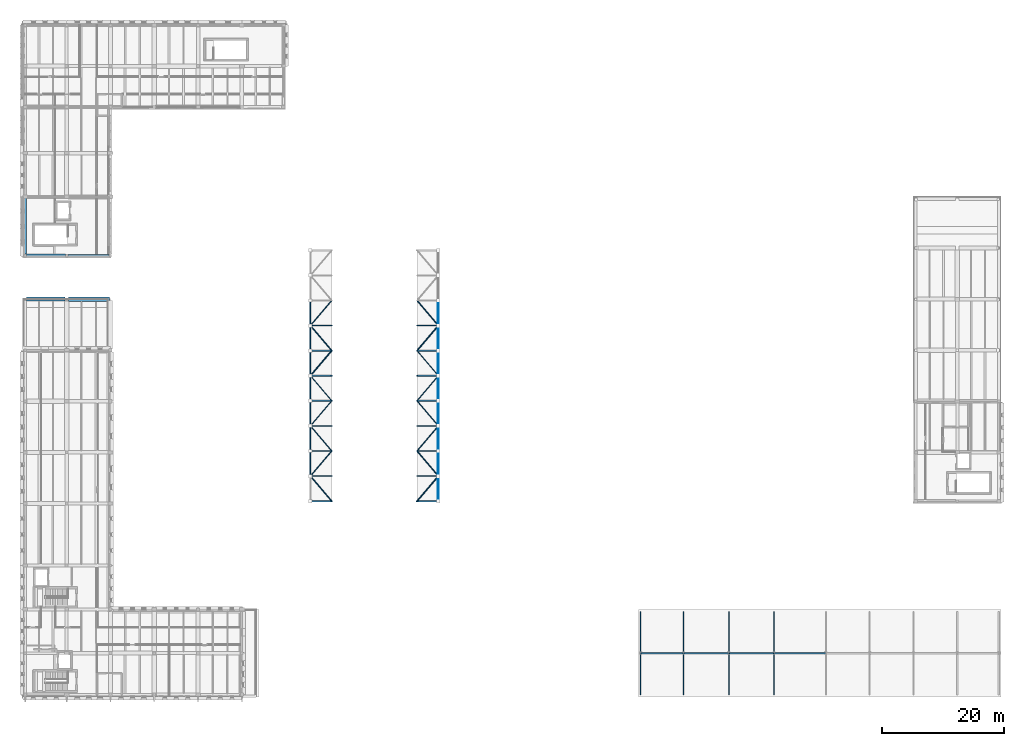
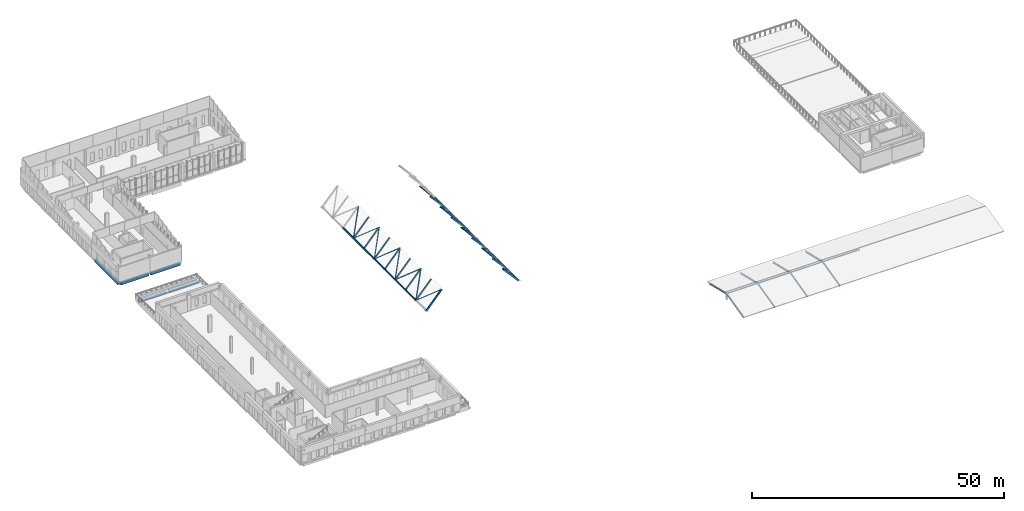
# One storey, part 7 of 34: 47 members, 17 beams.
"""IFC4 building model written with IfcOpenShell, lengths in metres."""

from ifc_helpers import new_model, si_unit, direction, frame, origin, origin_2d, place, context, subcontext, project, spatial, rectangle, hollow_rectangle, hollow_circle, i_section, extrude, material, material_profile, profile_set, type_object, element, save


model = new_model("IFC4")

# Units and contexts
model_context = context("Model", 3, precision=1e-05, world=origin(), true_north=direction((0.0, 1.0)))
body_context = subcontext(model_context, "Body", "Model", "MODEL_VIEW")
ifc_project = project(units=[si_unit("LENGTHUNIT", "METRE"), si_unit("AREAUNIT", "SQUARE_METRE"), si_unit("VOLUMEUNIT", "CUBIC_METRE"), si_unit("PLANEANGLEUNIT", "RADIAN"), si_unit("MASSUNIT", "GRAM", prefix="KILO")], contexts=[model_context])

# Site, building, storey
site_placement = place(None, origin())
site = spatial("IfcSite", under=ifc_project, at=site_placement, CompositionType="ELEMENT")
building_placement = place(site_placement, origin())
building = spatial("IfcBuilding", under=site, at=building_placement, Name="Vardoun Plaza Health Centre", CompositionType="ELEMENT")
storey_placement = place(building_placement, frame((0.0, 0.0, 12.89990234375)))
storey = spatial("IfcBuildingStorey", under=building, at=storey_placement, Name="L03", CompositionType="ELEMENT", Elevation=12.89990234375)

# Beams
ifc_material_1 = material(Name="Concrete C35/45", Category="concrete")
ifc_material_profile_1 = material_profile(ifc_material_1, rectangle(XDim=0.419921875, YDim=0.580078125, at=origin_2d()), Name="RC-BM 420x580")
ifc_profile_set_1 = profile_set([ifc_material_profile_1], Name="Concrete C35/45")
beam_type_1 = type_object("IfcBeamType", Name="B-10", PredefinedType="SPANDREL", material=ifc_profile_set_1)
beam_1_placement = place(storey_placement, frame((11.925048828125, 77.06005859375, -0.554931640625), z_axis=(1.0, 0.0, 0.0), x_axis=(0.0, 1.0, 0.0)))
element("IfcBeam", 1, at=beam_1_placement, inside=storey, type_object=beam_type_1, Name="V3 L03 Beam B-V3-L03-X07", PredefinedType="SPANDREL", context=body_context, shape_type="SweptSolid", body=[
    extrude(rectangle(XDim=0.419921875, YDim=0.580078125, at=origin_2d()), origin(), (0.0, 0.0, 1.0), 6.75),
])
ifc_material_2 = material(Name="Concrete C35/45", Category="concrete")
ifc_material_profile_2 = material_profile(ifc_material_2, rectangle(XDim=0.449951171875, YDim=0.60009765625, at=origin_2d()), Name="RC-BM 450x600")
ifc_profile_set_2 = profile_set([ifc_material_profile_2], Name="Concrete C35/45")
beam_type_2 = type_object("IfcBeamType", Name="B-11", PredefinedType="SPANDREL", material=ifc_profile_set_2)
beam_2_placement = place(storey_placement, frame((5.10498046875, 77.06005859375, -0.56494140625), z_axis=(1.0, 0.0, 0.0), x_axis=(0.0, 1.0, 0.0)))
element("IfcBeam", 2, at=beam_2_placement, inside=storey, type_object=beam_type_2, Name="V3 L03 Beam B-V3-L03-X01", PredefinedType="SPANDREL", context=body_context, shape_type="SweptSolid", body=[
    extrude(rectangle(XDim=0.449951171875, YDim=0.60009765625, at=origin_2d()), origin(), (0.0, 0.0, 1.0), 6.3701171875),
])
ifc_material_3 = material(Name="Concrete C35/45", Category="concrete")
ifc_material_profile_3 = material_profile(ifc_material_3, rectangle(XDim=0.47998046875, YDim=0.6201171875, at=origin_2d()), Name="RC-BM 480x620")
ifc_profile_set_3 = profile_set([ifc_material_profile_3], Name="Concrete C35/45")
beam_type_3 = type_object("IfcBeamType", Name="B-12", PredefinedType="SPANDREL", material=ifc_profile_set_3)
beam_3_placement = place(storey_placement, frame((4.8798828125, 77.284912109375, -0.574951171875), z_axis=(0.0, 1.0, 0.0), x_axis=(-1.0, 0.0, 0.0)))
element("IfcBeam", 3, at=beam_3_placement, inside=storey, type_object=beam_type_3, Name="V3 L03 Beam B-V3-L03-Y25", PredefinedType="SPANDREL", context=body_context, shape_type="SweptSolid", body=[
    extrude(rectangle(XDim=0.47998046875, YDim=0.6201171875, at=origin_2d()), origin(), (0.0, 0.0, 1.0), 9.215087890625),
])
ifc_material_4 = material(Name="Concrete C35/45", Category="concrete")
ifc_material_profile_4 = material_profile(ifc_material_4, rectangle(XDim=0.64990234375, YDim=0.449951171875, at=origin_2d()), Name="RC-BM 650x450")
ifc_profile_set_4 = profile_set([ifc_material_profile_4], Name="Concrete C35/45")
beam_type_4 = type_object("IfcBeamType", Name="B-05", PredefinedType="BEAM", material=ifc_profile_set_4)
beam_4_placement = place(storey_placement, frame((5.080078125, 69.900146484375, -0.5048828125), z_axis=(1.0, 0.0, 0.0), x_axis=(0.0, 1.0, 0.0)))
element("IfcBeam", 4, at=beam_4_placement, inside=storey, type_object=beam_type_4, Name="V2 L03 Beam B-V2-L03-X09", PredefinedType="BEAM", context=body_context, shape_type="SweptSolid", body=[
    extrude(rectangle(XDim=0.64990234375, YDim=0.449951171875, at=origin_2d()), origin(), (0.0, 0.0, 1.0), 6.344970703125),
])
ifc_material_5 = material(Name="Concrete C35/45", Category="concrete")
ifc_material_profile_5 = material_profile(ifc_material_5, rectangle(XDim=0.75, YDim=0.47998046875, at=origin_2d()), Name="RC-BM 750x480")
ifc_profile_set_5 = profile_set([ifc_material_profile_5], Name="Concrete C35/45")
beam_type_5 = type_object("IfcBeamType", Name="B-07", PredefinedType="BEAM", material=ifc_profile_set_5)
beam_5_placement = place(storey_placement, frame((11.97509765625, 69.900146484375, -0.52001953125), z_axis=(1.0, 0.0, 0.0), x_axis=(0.0, 1.0, 0.0)))
element("IfcBeam", 5, at=beam_5_placement, inside=storey, type_object=beam_type_5, Name="V2 L03 Beam B-V2-L03-X18", PredefinedType="BEAM", context=body_context, shape_type="SweptSolid", body=[
    extrude(rectangle(XDim=0.75, YDim=0.47998046875, at=origin_2d()), origin(), (0.0, 0.0, 1.0), 6.724853515625),
])
ifc_material_6 = material(Name="Steel S355J2", Category="steel")
ifc_material_profile_6 = material_profile(ifc_material_6, i_section(OverallWidth=0.219970703125, OverallDepth=0.2099609375, WebThickness=0.007080078125, FlangeThickness=0.010986328125, FilletRadius=0.01806640625, at=origin_2d()), Name="HEA 220")
ifc_profile_set_6 = profile_set([ifc_material_profile_6], Name="Steel S355J2")
beam_type_6 = type_object("IfcBeamType", Name="SB-08", PredefinedType="BEAM", material=ifc_profile_set_6)
beam_6_placement = place(storey_placement, frame((106.0400390625, 11.699951171875, 1.2900390625), z_axis=(1.0, 0.0, 0.0), x_axis=(0.0, 1.0, 0.0)))
element("IfcBeam", 6, at=beam_6_placement, inside=storey, type_object=beam_type_6, Name="V5 Folded-Roof Ridge Beam 1", PredefinedType="BEAM", context=body_context, shape_type="SweptSolid", body=[
    extrude(i_section(OverallWidth=0.219970703125, OverallDepth=0.2099609375, WebThickness=0.007080078125, FlangeThickness=0.010986328125, FilletRadius=0.01806640625, at=origin_2d()), origin(), (0.0, 0.0, 1.0), 7.06005859375),
])
for number, where, z_axis, x_axis, name in (
    (7, (113.10009765625, 11.699951171875, 1.2900390625), (1.0, 0.0, 0.0), (0.0, 1.0, 0.0), "V5 Folded-Roof Ridge Beam 2"),
    (8, (120.5400390625, 11.699951171875, 1.2900390625), (1.0, 0.0, 0.0), (0.0, 1.0, 0.0), "V5 Folded-Roof Ridge Beam 3"),
):
    element("IfcBeam", number, at=place(storey_placement, frame(where, z_axis=z_axis, x_axis=x_axis)), inside=storey, type_object=beam_type_6, Name=name, PredefinedType="BEAM", context=body_context, shape_type="SweptSolid", body=[
        extrude(i_section(OverallWidth=0.219970703125, OverallDepth=0.2099609375, WebThickness=0.007080078125, FlangeThickness=0.010986328125, FilletRadius=0.01806640625, at=origin_2d()), origin(), (0.0, 0.0, 1.0), 7.43994140625),
    ])
beam_7_placement = place(storey_placement, frame((127.97998046875, 11.699951171875, 1.2900390625), z_axis=(1.0, 0.0, 0.0), x_axis=(0.0, 1.0, 0.0)))
element("IfcBeam", 9, at=beam_7_placement, inside=storey, type_object=beam_type_6, Name="V5 Folded-Roof Ridge Beam 4", PredefinedType="BEAM", context=body_context, shape_type="SweptSolid", body=[
    extrude(i_section(OverallWidth=0.219970703125, OverallDepth=0.2099609375, WebThickness=0.007080078125, FlangeThickness=0.010986328125, FilletRadius=0.01806640625, at=origin_2d()), origin(), (0.0, 0.0, 1.0), 8.52001953125),
])
ifc_material_7 = material(Name="Steel S355J2", Category="steel")
ifc_material_profile_7 = material_profile(ifc_material_7, i_section(OverallWidth=0.179931640625, OverallDepth=0.39990234375, WebThickness=0.008544921875, FlangeThickness=0.013427734375, FilletRadius=0.02099609375, at=origin_2d()), Name="IPE 400")
ifc_profile_set_7 = profile_set([ifc_material_profile_7], Name="Steel S355J2")
beam_type_7 = type_object("IfcBeamType", Name="SB-12", PredefinedType="BEAM", material=ifc_profile_set_7)
for number, where, z_axis, x_axis, name in (
    (10, (106.0400390625, 4.8798828125, -0.347412109375), (0.0, 0.972366760857, 0.233458523897), (-1.0, 0.0, 0.0), "V5 South Folded Rafter 1"),
    (11, (106.0400390625, 11.699951171875, 1.2900390625), (0.0, 0.972366760857, -0.233458523897), (-1.0, 0.0, 0.0), "V5 North Folded Rafter 1"),
    (12, (113.10009765625, 4.8798828125, -0.347412109375), (0.0, 0.972366760857, 0.233458523897), (-1.0, 0.0, 0.0), "V5 South Folded Rafter 2"),
    (13, (113.10009765625, 11.699951171875, 1.2900390625), (0.0, 0.972366760857, -0.233458523897), (-1.0, 0.0, 0.0), "V5 North Folded Rafter 2"),
    (14, (120.5400390625, 4.8798828125, -0.347412109375), (0.0, 0.972366760857, 0.233458523897), (-1.0, 0.0, 0.0), "V5 South Folded Rafter 3"),
    (15, (120.5400390625, 11.699951171875, 1.2900390625), (0.0, 0.972366760857, -0.233458523897), (-1.0, 0.0, 0.0), "V5 North Folded Rafter 3"),
    (16, (127.97998046875, 4.8798828125, -0.347412109375), (0.0, 0.972366760857, 0.233458523897), (-1.0, 0.0, 0.0), "V5 South Folded Rafter 4"),
    (17, (127.97998046875, 11.699951171875, 1.2900390625), (0.0, 0.972366760857, -0.233458523897), (-1.0, 0.0, 0.0), "V5 North Folded Rafter 4"),
):
    element("IfcBeam", number, at=place(storey_placement, frame(where, z_axis=z_axis, x_axis=x_axis)), inside=storey, type_object=beam_type_7, Name=name, PredefinedType="BEAM", context=body_context, shape_type="SweptSolid", body=[
        extrude(i_section(OverallWidth=0.179931640625, OverallDepth=0.39990234375, WebThickness=0.008544921875, FlangeThickness=0.013427734375, FilletRadius=0.02099609375, at=origin_2d()), origin(), (0.0, 0.0, 1.0), 7.013916015625),
    ])

# Members
ifc_material_8 = material(Name="Glulam GL28h", Category="wood")
ifc_material_profile_8 = material_profile(ifc_material_8, rectangle(XDim=0.179931640625, YDim=0.39990234375, at=origin_2d()), Name="GL28h 180x400")
ifc_profile_set_8 = profile_set([ifc_material_profile_8], Name="Glulam GL28h")
member_type_1 = type_object("IfcMemberType", Name="GP-02", PredefinedType="PURLIN", material=ifc_profile_set_8)
for number, where, z_axis, x_axis, name in (
    (18, (51.764892578125, 40.803955078125, 1.0126953125), (0.0, 1.0, 0.0), (-1.0, 0.0, 0.0), "Gridshell Glulam Purlin GP-02-02"),
    (19, (51.764892578125, 44.927978515625, 1.0126953125), (0.0, 1.0, 0.0), (-1.0, 0.0, 0.0), "Gridshell Glulam Purlin GP-02-03"),
    (20, (51.764892578125, 49.052001953125, 1.0126953125), (0.0, 1.0, 0.0), (-1.0, 0.0, 0.0), "Gridshell Glulam Purlin GP-02-04"),
    (21, (51.764892578125, 53.176025390625, 1.0126953125), (0.0, 1.0, 0.0), (-1.0, 0.0, 0.0), "Gridshell Glulam Purlin GP-02-05"),
    (22, (51.764892578125, 57.300048828125, 1.0126953125), (0.0, 1.0, 0.0), (-1.0, 0.0, 0.0), "Gridshell Glulam Purlin GP-02-06"),
    (23, (51.764892578125, 61.424072265625, 1.0126953125), (0.0, 1.0, 0.0), (-1.0, 0.0, 0.0), "Gridshell Glulam Purlin GP-02-07"),
    (24, (51.764892578125, 65.548095703125, 1.0126953125), (0.0, 1.0, 0.0), (-1.0, 0.0, 0.0), "Gridshell Glulam Purlin GP-02-08"),
):
    element("IfcMember", number, at=place(storey_placement, frame(where, z_axis=z_axis, x_axis=x_axis)), inside=storey, type_object=member_type_1, Name=name, PredefinedType="PURLIN", context=body_context, shape_type="SweptSolid", body=[
        extrude(rectangle(XDim=0.179931640625, YDim=0.39990234375, at=origin_2d()), origin(), (0.0, 0.0, 1.0), 4.1240234375),
    ])
ifc_material_9 = material(Name="Glulam GL28h", Category="wood")
ifc_material_profile_9 = material_profile(ifc_material_9, rectangle(XDim=0.1201171875, YDim=0.239990234375, at=origin_2d()), Name="GL28h 120x240")
ifc_profile_set_9 = profile_set([ifc_material_profile_9], Name="Glulam GL28h")
member_type_2 = type_object("IfcMemberType", Name="GP-08", PredefinedType="PURLIN", material=ifc_profile_set_9)
for number, where, z_axis, x_axis, name in (
    (25, (72.794921875, 36.679931640625, 1.0126953125), (0.0, 1.0, 0.0), (-1.0, 0.0, 0.0), "Gridshell Glulam Purlin GP-08-01"),
    (26, (72.794921875, 40.803955078125, 1.0126953125), (0.0, 1.0, 0.0), (-1.0, 0.0, 0.0), "Gridshell Glulam Purlin GP-08-02"),
    (27, (72.794921875, 44.927978515625, 1.0126953125), (0.0, 1.0, 0.0), (-1.0, 0.0, 0.0), "Gridshell Glulam Purlin GP-08-03"),
    (28, (72.794921875, 49.052001953125, 1.0126953125), (0.0, 1.0, 0.0), (-1.0, 0.0, 0.0), "Gridshell Glulam Purlin GP-08-04"),
    (29, (72.794921875, 53.176025390625, 1.0126953125), (0.0, 1.0, 0.0), (-1.0, 0.0, 0.0), "Gridshell Glulam Purlin GP-08-05"),
    (30, (72.794921875, 57.300048828125, 1.0126953125), (0.0, 1.0, 0.0), (-1.0, 0.0, 0.0), "Gridshell Glulam Purlin GP-08-06"),
    (31, (72.794921875, 61.424072265625, 1.0126953125), (0.0, 1.0, 0.0), (-1.0, 0.0, 0.0), "Gridshell Glulam Purlin GP-08-07"),
    (32, (72.794921875, 65.548095703125, 1.0126953125), (0.0, 1.0, 0.0), (-1.0, 0.0, 0.0), "Gridshell Glulam Purlin GP-08-08"),
):
    element("IfcMember", number, at=place(storey_placement, frame(where, z_axis=z_axis, x_axis=x_axis)), inside=storey, type_object=member_type_2, Name=name, PredefinedType="PURLIN", context=body_context, shape_type="SweptSolid", body=[
        extrude(rectangle(XDim=0.1201171875, YDim=0.239990234375, at=origin_2d()), origin(), (0.0, 0.0, 1.0), 4.1240234375),
    ])
ifc_material_10 = material(Name="Steel S355J2H", Category="steel")
ifc_material_profile_10 = material_profile(ifc_material_10, hollow_rectangle(XDim=0.199951171875, YDim=0.39990234375, WallThickness=0.012451171875, at=origin_2d()), Name="RHS 400x200x12.5")
ifc_profile_set_10 = profile_set([ifc_material_profile_10], Name="Steel S355J2H")
member_type_3 = type_object("IfcMemberType", Name="GS-A1", PredefinedType="CHORD", material=ifc_profile_set_10)
for number, where, z_axis, x_axis, name in (
    (33, (51.764892578125, 36.679931640625, 1.0126953125), (0.664906955532, 0.0, 0.746926194805), (0.0, 1.0, 0.0), "Gridshell Arch Rib GA-01-02"),
    (34, (72.794921875, 36.679931640625, 1.0126953125), (-0.664881116715, 0.0, 0.746949195485), (0.0, -1.0, 0.0), "Gridshell Arch Rib GA-01-07"),
):
    element("IfcMember", number, at=place(storey_placement, frame(where, z_axis=z_axis, x_axis=x_axis)), inside=storey, type_object=member_type_3, Name=name, PredefinedType="CHORD", context=body_context, shape_type="SweptSolid", body=[
        extrude(hollow_rectangle(XDim=0.199951171875, YDim=0.39990234375, WallThickness=0.012451171875, at=origin_2d()), origin(), (0.0, 0.0, 1.0), 5.271484375),
    ])
ifc_material_11 = material(Name="Steel S355J2H", Category="steel")
ifc_material_profile_11 = material_profile(ifc_material_11, hollow_rectangle(XDim=0.199951171875, YDim=0.300048828125, WallThickness=0.012451171875, at=origin_2d()), Name="RHS 300x200x12.5")
ifc_profile_set_11 = profile_set([ifc_material_profile_11], Name="Steel S355J2H")
member_type_4 = type_object("IfcMemberType", Name="GS-A3", PredefinedType="CHORD", material=ifc_profile_set_11)
for number, where, z_axis, x_axis, name in (
    (35, (51.764892578125, 40.803955078125, 1.0126953125), (0.664906955532, 0.0, 0.746926194805), (0.0, 1.0, 0.0), "Gridshell Arch Rib GA-02-02"),
    (36, (72.794921875, 40.803955078125, 1.0126953125), (-0.664881116715, 0.0, 0.746949195485), (0.0, -1.0, 0.0), "Gridshell Arch Rib GA-02-07"),
    (37, (51.764892578125, 44.927978515625, 1.0126953125), (0.664906955532, 0.0, 0.746926194805), (0.0, 1.0, 0.0), "Gridshell Arch Rib GA-03-02"),
    (38, (72.794921875, 44.927978515625, 1.0126953125), (-0.664881116715, 0.0, 0.746949195485), (0.0, -1.0, 0.0), "Gridshell Arch Rib GA-03-07"),
    (39, (51.764892578125, 49.052001953125, 1.0126953125), (0.664906955532, 0.0, 0.746926194805), (0.0, 1.0, 0.0), "Gridshell Arch Rib GA-04-02"),
    (40, (72.794921875, 49.052001953125, 1.0126953125), (-0.664881116715, 0.0, 0.746949195485), (0.0, -1.0, 0.0), "Gridshell Arch Rib GA-04-07"),
    (41, (51.764892578125, 53.176025390625, 1.0126953125), (0.664906955532, 0.0, 0.746926194805), (0.0, 1.0, 0.0), "Gridshell Arch Rib GA-05-02"),
    (42, (72.794921875, 53.176025390625, 1.0126953125), (-0.664881116715, 0.0, 0.746949195485), (0.0, -1.0, 0.0), "Gridshell Arch Rib GA-05-07"),
    (43, (51.764892578125, 57.300048828125, 1.0126953125), (0.664906955532, 0.0, 0.746926194805), (0.0, 1.0, 0.0), "Gridshell Arch Rib GA-06-02"),
    (44, (72.794921875, 57.300048828125, 1.0126953125), (-0.664881116715, 0.0, 0.746949195485), (0.0, -1.0, 0.0), "Gridshell Arch Rib GA-06-07"),
    (45, (51.764892578125, 61.424072265625, 1.0126953125), (0.664906955532, 0.0, 0.746926194805), (0.0, 1.0, 0.0), "Gridshell Arch Rib GA-07-02"),
    (46, (72.794921875, 61.424072265625, 1.0126953125), (-0.664881116715, 0.0, 0.746949195485), (0.0, -1.0, 0.0), "Gridshell Arch Rib GA-07-07"),
    (47, (51.764892578125, 65.548095703125, 1.0126953125), (0.664906955532, 0.0, 0.746926194805), (0.0, 1.0, 0.0), "Gridshell Arch Rib GA-08-02"),
    (48, (72.794921875, 65.548095703125, 1.0126953125), (-0.664881116715, 0.0, 0.746949195485), (0.0, -1.0, 0.0), "Gridshell Arch Rib GA-08-07"),
):
    element("IfcMember", number, at=place(storey_placement, frame(where, z_axis=z_axis, x_axis=x_axis)), inside=storey, type_object=member_type_4, Name=name, PredefinedType="CHORD", context=body_context, shape_type="SweptSolid", body=[
        extrude(hollow_rectangle(XDim=0.199951171875, YDim=0.300048828125, WallThickness=0.012451171875, at=origin_2d()), origin(), (0.0, 0.0, 1.0), 5.271484375),
    ])
ifc_material_12 = material(Name="Steel S355J2H", Category="steel")
ifc_material_profile_12 = material_profile(ifc_material_12, hollow_circle(Radius=0.122314453125, WallThickness=0.012451171875, at=origin_2d()), Name="CHS 244.5x12.5")
ifc_profile_set_12 = profile_set([ifc_material_profile_12], Name="Steel S355J2H")
member_type_5 = type_object("IfcMemberType", Name="GS-D1", PredefinedType="BRACE", material=ifc_profile_set_12)
member_1_placement = place(storey_placement, frame((72.794921875, 40.803955078125, 1.0126953125), z_axis=(-0.52366728039, -0.616173565084, 0.588304952503), x_axis=(0.761988287779, -0.647590803893, 0.0)))
element("IfcMember", 49, at=member_1_placement, inside=storey, type_object=member_type_5, Name="Gridshell Diagonal GD-01-07", PredefinedType="BRACE", context=body_context, shape_type="SweptSolid", body=[
    extrude(hollow_circle(Radius=0.122314453125, WallThickness=0.012451171875, at=origin_2d()), origin(), (0.0, 0.0, 1.0), 6.69287109375),
])
member_2_placement = place(storey_placement, frame((51.764892578125, 57.300048828125, 1.0126953125), z_axis=(0.523693753813, 0.616161794903, 0.588293714669), x_axis=(-0.761966028439, 0.647616994453, 0.0)))
element("IfcMember", 50, at=member_2_placement, inside=storey, type_object=member_type_5, Name="Gridshell Diagonal GD-06-02", PredefinedType="BRACE", context=body_context, shape_type="SweptSolid", body=[
    extrude(hollow_circle(Radius=0.122314453125, WallThickness=0.012451171875, at=origin_2d()), origin(), (0.0, 0.0, 1.0), 6.693115234375),
])
member_3_placement = place(storey_placement, frame((72.794921875, 65.548095703125, 1.0126953125), z_axis=(-0.52366728039, -0.616173565084, 0.588304952503), x_axis=(0.761988287779, -0.647590803893, 0.0)))
element("IfcMember", 51, at=member_3_placement, inside=storey, type_object=member_type_5, Name="Gridshell Diagonal GD-07-07", PredefinedType="BRACE", context=body_context, shape_type="SweptSolid", body=[
    extrude(hollow_circle(Radius=0.122314453125, WallThickness=0.012451171875, at=origin_2d()), origin(), (0.0, 0.0, 1.0), 6.69287109375),
])
ifc_material_13 = material(Name="Steel S355J2H", Category="steel")
ifc_material_profile_13 = material_profile(ifc_material_13, hollow_circle(Radius=0.109619140625, WallThickness=0.010009765625, at=origin_2d()), Name="CHS 219.1x10.0")
ifc_profile_set_13 = profile_set([ifc_material_profile_13], Name="Steel S355J2H")
member_type_6 = type_object("IfcMemberType", Name="GS-D2", PredefinedType="BRACE", material=ifc_profile_set_13)
member_4_placement = place(storey_placement, frame((51.764892578125, 40.803955078125, 1.0126953125), z_axis=(0.523693753813, -0.616161794903, 0.588293714669), x_axis=(0.761966028439, 0.647616994453, 0.0)))
element("IfcMember", 52, at=member_4_placement, inside=storey, type_object=member_type_6, Name="Gridshell Diagonal GD-01-02", PredefinedType="BRACE", context=body_context, shape_type="SweptSolid", body=[
    extrude(hollow_circle(Radius=0.109619140625, WallThickness=0.010009765625, at=origin_2d()), origin(), (0.0, 0.0, 1.0), 6.693115234375),
])
member_5_placement = place(storey_placement, frame((72.794921875, 40.803955078125, 1.0126953125), z_axis=(-0.52366728039, 0.616173565084, 0.588304952503), x_axis=(-0.761988287779, -0.647590803893, 0.0)))
element("IfcMember", 53, at=member_5_placement, inside=storey, type_object=member_type_6, Name="Gridshell Diagonal GD-02-07", PredefinedType="BRACE", context=body_context, shape_type="SweptSolid", body=[
    extrude(hollow_circle(Radius=0.109619140625, WallThickness=0.010009765625, at=origin_2d()), origin(), (0.0, 0.0, 1.0), 6.69287109375),
])
member_6_placement = place(storey_placement, frame((51.764892578125, 65.548095703125, 1.0126953125), z_axis=(0.523693753813, -0.616161794903, 0.588293714669), x_axis=(0.761966028439, 0.647616994453, 0.0)))
element("IfcMember", 54, at=member_6_placement, inside=storey, type_object=member_type_6, Name="Gridshell Diagonal GD-07-02", PredefinedType="BRACE", context=body_context, shape_type="SweptSolid", body=[
    extrude(hollow_circle(Radius=0.109619140625, WallThickness=0.010009765625, at=origin_2d()), origin(), (0.0, 0.0, 1.0), 6.693115234375),
])
member_7_placement = place(storey_placement, frame((72.794921875, 65.548095703125, 1.0126953125), z_axis=(-0.52366728039, 0.616173565084, 0.588304952503), x_axis=(-0.761988287779, -0.647590803893, 0.0)))
element("IfcMember", 55, at=member_7_placement, inside=storey, type_object=member_type_6, Name="Gridshell Diagonal GD-08-07", PredefinedType="BRACE", context=body_context, shape_type="SweptSolid", body=[
    extrude(hollow_circle(Radius=0.109619140625, WallThickness=0.010009765625, at=origin_2d()), origin(), (0.0, 0.0, 1.0), 6.69287109375),
])
ifc_material_14 = material(Name="Steel S355J2H", Category="steel")
ifc_material_profile_14 = material_profile(ifc_material_14, hollow_circle(Radius=0.096923828125, WallThickness=0.010009765625, at=origin_2d()), Name="CHS 193.7x10.0")
ifc_profile_set_14 = profile_set([ifc_material_profile_14], Name="Steel S355J2H")
member_type_7 = type_object("IfcMemberType", Name="GS-D3", PredefinedType="BRACE", material=ifc_profile_set_14)
member_8_placement = place(storey_placement, frame((51.764892578125, 40.803955078125, 1.0126953125), z_axis=(0.523693753813, 0.616161794903, 0.588293714669), x_axis=(-0.761966028439, 0.647616994453, 0.0)))
element("IfcMember", 56, at=member_8_placement, inside=storey, type_object=member_type_7, Name="Gridshell Diagonal GD-02-02", PredefinedType="BRACE", context=body_context, shape_type="SweptSolid", body=[
    extrude(hollow_circle(Radius=0.096923828125, WallThickness=0.010009765625, at=origin_2d()), origin(), (0.0, 0.0, 1.0), 6.693115234375),
])
member_9_placement = place(storey_placement, frame((72.794921875, 49.052001953125, 1.0126953125), z_axis=(-0.52366728039, -0.616173565084, 0.588304952503), x_axis=(0.761988287779, -0.647590803893, 0.0)))
element("IfcMember", 57, at=member_9_placement, inside=storey, type_object=member_type_7, Name="Gridshell Diagonal GD-03-07", PredefinedType="BRACE", context=body_context, shape_type="SweptSolid", body=[
    extrude(hollow_circle(Radius=0.096923828125, WallThickness=0.010009765625, at=origin_2d()), origin(), (0.0, 0.0, 1.0), 6.69287109375),
])
member_10_placement = place(storey_placement, frame((51.764892578125, 65.548095703125, 1.0126953125), z_axis=(0.523693753813, 0.616161794903, 0.588293714669), x_axis=(-0.761966028439, 0.647616994453, 0.0)))
element("IfcMember", 58, at=member_10_placement, inside=storey, type_object=member_type_7, Name="Gridshell Diagonal GD-08-02", PredefinedType="BRACE", context=body_context, shape_type="SweptSolid", body=[
    extrude(hollow_circle(Radius=0.096923828125, WallThickness=0.010009765625, at=origin_2d()), origin(), (0.0, 0.0, 1.0), 6.693115234375),
])
ifc_material_15 = material(Name="Steel S355J2H", Category="steel")
ifc_material_profile_15 = material_profile(ifc_material_15, hollow_circle(Radius=0.0888671875, WallThickness=0.008056640625, at=origin_2d()), Name="CHS 177.8x8.0")
ifc_profile_set_15 = profile_set([ifc_material_profile_15], Name="Steel S355J2H")
member_type_8 = type_object("IfcMemberType", Name="GS-D4", PredefinedType="BRACE", material=ifc_profile_set_15)
member_11_placement = place(storey_placement, frame((51.764892578125, 49.052001953125, 1.0126953125), z_axis=(0.523693753813, -0.616161794903, 0.588293714669), x_axis=(0.761966028439, 0.647616994453, 0.0)))
element("IfcMember", 59, at=member_11_placement, inside=storey, type_object=member_type_8, Name="Gridshell Diagonal GD-03-02", PredefinedType="BRACE", context=body_context, shape_type="SweptSolid", body=[
    extrude(hollow_circle(Radius=0.0888671875, WallThickness=0.008056640625, at=origin_2d()), origin(), (0.0, 0.0, 1.0), 6.693115234375),
])
member_12_placement = place(storey_placement, frame((72.794921875, 49.052001953125, 1.0126953125), z_axis=(-0.52366728039, 0.616173565084, 0.588304952503), x_axis=(-0.761988287779, -0.647590803893, 0.0)))
element("IfcMember", 60, at=member_12_placement, inside=storey, type_object=member_type_8, Name="Gridshell Diagonal GD-04-07", PredefinedType="BRACE", context=body_context, shape_type="SweptSolid", body=[
    extrude(hollow_circle(Radius=0.0888671875, WallThickness=0.008056640625, at=origin_2d()), origin(), (0.0, 0.0, 1.0), 6.69287109375),
])
ifc_material_16 = material(Name="Steel S355J2H", Category="steel")
ifc_material_profile_16 = material_profile(ifc_material_16, hollow_circle(Radius=0.084228515625, WallThickness=0.008056640625, at=origin_2d()), Name="CHS 168.3x8.0")
ifc_profile_set_16 = profile_set([ifc_material_profile_16], Name="Steel S355J2H")
member_type_9 = type_object("IfcMemberType", Name="GS-D5", PredefinedType="BRACE", material=ifc_profile_set_16)
member_13_placement = place(storey_placement, frame((51.764892578125, 49.052001953125, 1.0126953125), z_axis=(0.523693753813, 0.616161794903, 0.588293714669), x_axis=(-0.761966028439, 0.647616994453, 0.0)))
element("IfcMember", 61, at=member_13_placement, inside=storey, type_object=member_type_9, Name="Gridshell Diagonal GD-04-02", PredefinedType="BRACE", context=body_context, shape_type="SweptSolid", body=[
    extrude(hollow_circle(Radius=0.084228515625, WallThickness=0.008056640625, at=origin_2d()), origin(), (0.0, 0.0, 1.0), 6.693115234375),
])
member_14_placement = place(storey_placement, frame((72.794921875, 57.300048828125, 1.0126953125), z_axis=(-0.52366728039, -0.616173565084, 0.588304952503), x_axis=(0.761988287779, -0.647590803893, 0.0)))
element("IfcMember", 62, at=member_14_placement, inside=storey, type_object=member_type_9, Name="Gridshell Diagonal GD-05-07", PredefinedType="BRACE", context=body_context, shape_type="SweptSolid", body=[
    extrude(hollow_circle(Radius=0.084228515625, WallThickness=0.008056640625, at=origin_2d()), origin(), (0.0, 0.0, 1.0), 6.69287109375),
])
ifc_material_17 = material(Name="Steel S355J2H", Category="steel")
ifc_material_profile_17 = material_profile(ifc_material_17, hollow_circle(Radius=0.076171875, WallThickness=0.008056640625, at=origin_2d()), Name="CHS 152.4x8.0")
ifc_profile_set_17 = profile_set([ifc_material_profile_17], Name="Steel S355J2H")
member_type_10 = type_object("IfcMemberType", Name="GS-D6", PredefinedType="BRACE", material=ifc_profile_set_17)
member_15_placement = place(storey_placement, frame((51.764892578125, 57.300048828125, 1.0126953125), z_axis=(0.523693753813, -0.616161794903, 0.588293714669), x_axis=(0.761966028439, 0.647616994453, 0.0)))
element("IfcMember", 63, at=member_15_placement, inside=storey, type_object=member_type_10, Name="Gridshell Diagonal GD-05-02", PredefinedType="BRACE", context=body_context, shape_type="SweptSolid", body=[
    extrude(hollow_circle(Radius=0.076171875, WallThickness=0.008056640625, at=origin_2d()), origin(), (0.0, 0.0, 1.0), 6.693115234375),
])
member_16_placement = place(storey_placement, frame((72.794921875, 57.300048828125, 1.0126953125), z_axis=(-0.52366728039, 0.616173565084, 0.588304952503), x_axis=(-0.761988287779, -0.647590803893, 0.0)))
element("IfcMember", 64, at=member_16_placement, inside=storey, type_object=member_type_10, Name="Gridshell Diagonal GD-06-07", PredefinedType="BRACE", context=body_context, shape_type="SweptSolid", body=[
    extrude(hollow_circle(Radius=0.076171875, WallThickness=0.008056640625, at=origin_2d()), origin(), (0.0, 0.0, 1.0), 6.69287109375),
])

save(model, "model.ifc")
